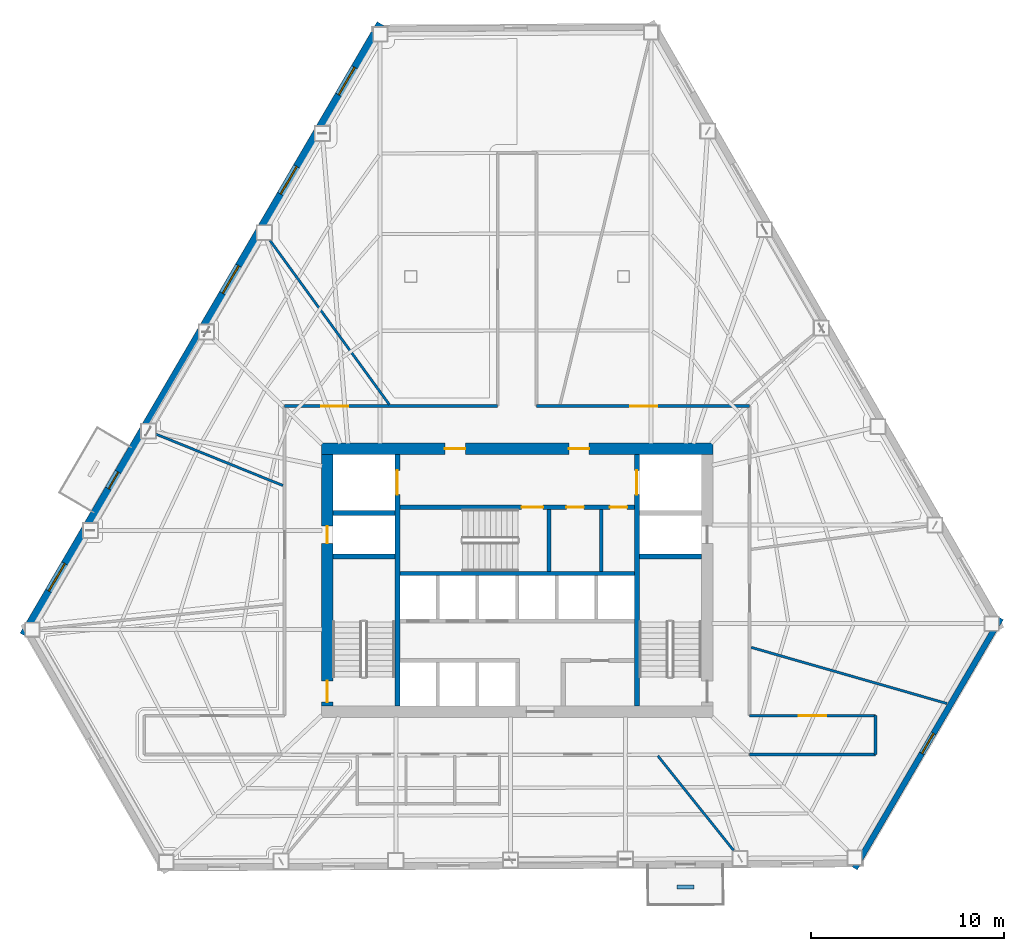
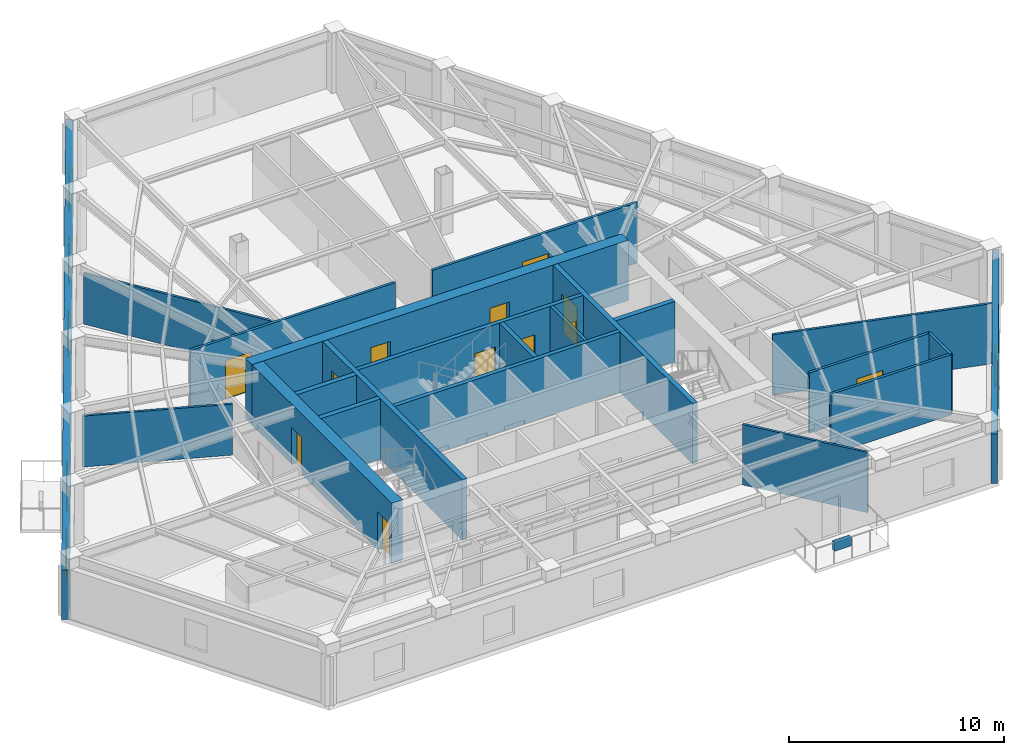
# One storey, part 9 of 14: 23 walls, 13 doors, 5 windows, 18 openings.
"""IFC4 building model written with IfcOpenShell, lengths in metres."""

from ifc_helpers import new_model, si_unit, direction, frame, frame_2d, origin, place, context, subcontext, project, spatial, rectangle, extrude, material, layer, layer_set, type_object, element, fill, save


model = new_model("IFC4")

# Units and contexts
model_context = context("Model", 3, precision=1e-05, world=origin(), true_north=direction((0.0, 1.0)))
body_context = subcontext(model_context, "Body", "Model", "MODEL_VIEW")
ifc_project = project(units=[si_unit("LENGTHUNIT", "METRE"), si_unit("AREAUNIT", "SQUARE_METRE"), si_unit("VOLUMEUNIT", "CUBIC_METRE"), si_unit("PLANEANGLEUNIT", "RADIAN"), si_unit("MASSUNIT", "GRAM", prefix="KILO")], contexts=[model_context])

# Site, building, storey
site_placement = place(None, origin())
site = spatial("IfcSite", under=ifc_project, at=site_placement, CompositionType="ELEMENT")
building_placement = place(site_placement, origin())
building = spatial("IfcBuilding", under=site, at=building_placement, Name="Kavelnor Concourse Tower", CompositionType="ELEMENT")
storey_placement = place(building_placement, frame((0.0, 0.0, 71.449951171875)))
storey = spatial("IfcBuildingStorey", under=building, at=storey_placement, Name="L18", CompositionType="ELEMENT", Elevation=71.449951171875)

# Wall, openings, doors
ifc_material_1 = material(Name="Concrete C60/75", Category="concrete")
ifc_layer_1 = layer(ifc_material_1, 0.60009765625, Name="Concrete C60/75")
ifc_layer_set_1 = layer_set([ifc_layer_1], Name="Concrete C60/75")
wall_type_1 = type_object("IfcWallType", Name="WL-CORE-Z1-600", PredefinedType="SOLIDWALL", material=ifc_layer_set_1)
wall_1_placement = place(storey_placement, frame((27.8798828125, 22.89990234375, 0.0), z_axis=(0.0, 0.0, 1.0), x_axis=(1.0, 0.0, 0.0)))
wall_1 = element("IfcWall", 1, at=wall_1_placement, inside=storey, type_object=wall_type_1, Name="L18 Central Core North Shear Wall", PredefinedType="SOLIDWALL", context=body_context, shape_type="SweptSolid", body=[
    extrude(rectangle(XDim=20.240234375, YDim=0.60009765625, at=frame_2d((10.1201171875, 0.0))), origin(), (0.0, 0.0, 1.0), 3.429931640625),
])
opening_1_placement = place(wall_1_placement, frame((6.39501953125, 0.0, 0.0)))
opening_1 = element("IfcOpeningElement", 2, at=opening_1_placement, cuts=wall_1, Name="Opening FD-105", PredefinedType="OPENING", context=body_context, shape_type="SweptSolid", body=[
    extrude(rectangle(XDim=1.050048828125, YDim=2.14990234375, at=frame_2d((0.52490234375, 1.074951171875))), frame((0.0, 0.31005859375, 0.0), z_axis=(0.0, -1.0, 0.0), x_axis=(1.0, 0.0, 0.0)), (0.0, 0.0, 1.0), 0.6201171875),
])
opening_2_placement = place(wall_1_placement, frame((12.794921875, 0.0, 0.0)))
opening_2 = element("IfcOpeningElement", 3, at=opening_2_placement, cuts=wall_1, Name="Opening FD-105", PredefinedType="OPENING", context=body_context, shape_type="SweptSolid", body=[
    extrude(rectangle(XDim=1.050048828125, YDim=2.14990234375, at=frame_2d((0.52490234375, 1.074951171875))), frame((0.0, 0.31005859375, 0.0), z_axis=(0.0, -1.0, 0.0), x_axis=(1.0, 0.0, 0.0)), (0.0, 0.0, 1.0), 0.6201171875),
])
ifc_material_2 = material(Name="Steel Grade 350", Category="steel")
door_type_1 = type_object("IfcDoorType", Name="DR-LOBBY-FIRE-1050", OperationType="NOTDEFINED", PredefinedType="DOOR", material=ifc_material_2)
door_1_placement = place(opening_1_placement, origin())
door_1 = element("IfcDoor", 4, at=door_1_placement, inside=storey, type_object=door_type_1, Name="L18 Emergency Lift Lobby West Door", OperationType="SINGLE_SWING_LEFT", OverallHeight=2.14990234375, OverallWidth=1.050048828125, PredefinedType="DOOR", context=body_context, shape_type="SweptSolid", body=[
    extrude(rectangle(XDim=1.050048828125, YDim=2.14990234375, at=frame_2d((0.52490234375, 1.074951171875))), frame((0.0, 0.02490234375, 0.0), z_axis=(0.0, -1.0, 0.0), x_axis=(1.0, 0.0, 0.0)), (0.0, 0.0, 1.0), 0.050048828125),
])
fill(opening_1, door_1)
door_2_placement = place(opening_2_placement, origin())
door_2 = element("IfcDoor", 5, at=door_2_placement, inside=storey, type_object=door_type_1, Name="L18 Emergency Lift Lobby East Door", OperationType="SINGLE_SWING_RIGHT", OverallHeight=2.14990234375, OverallWidth=1.050048828125, PredefinedType="DOOR", context=body_context, shape_type="SweptSolid", body=[
    extrude(rectangle(XDim=1.050048828125, YDim=2.14990234375, at=frame_2d((0.52490234375, 1.074951171875))), frame((0.0, 0.02490234375, 0.0), z_axis=(0.0, -1.0, 0.0), x_axis=(1.0, 0.0, 0.0)), (0.0, 0.0, 1.0), 0.050048828125),
])
fill(opening_2, door_2)

wall_2_placement = place(storey_placement, frame((28.179931640625, 9.60009765625, 0.0), z_axis=(0.0, 0.0, 1.0), x_axis=(0.0, 1.0, 0.0)))
wall_2 = element("IfcWall", 6, at=wall_2_placement, inside=storey, type_object=wall_type_1, Name="L18 Central Core West Shear Wall", PredefinedType="SOLIDWALL", context=body_context, shape_type="SweptSolid", body=[
    extrude(rectangle(XDim=13.0, YDim=0.60009765625, at=frame_2d((6.5, 0.0))), origin(), (0.0, 0.0, 1.0), 3.429931640625),
])
opening_3_placement = place(wall_2_placement, frame((0.199951171875, 0.0, 0.0)))
opening_3 = element("IfcOpeningElement", 7, at=opening_3_placement, cuts=wall_2, Name="Opening FD-110", PredefinedType="OPENING", context=body_context, shape_type="SweptSolid", body=[
    extrude(rectangle(XDim=1.10009765625, YDim=2.14990234375, at=frame_2d((0.550048828125, 1.074951171875))), frame((0.0, 0.31005859375, 0.0), z_axis=(0.0, -1.0, 0.0), x_axis=(1.0, 0.0, 0.0)), (0.0, 0.0, 1.0), 0.6201171875),
])
opening_4_placement = place(wall_2_placement, frame((8.39990234375, 0.0, 0.0)))
opening_4 = element("IfcOpeningElement", 8, at=opening_4_placement, cuts=wall_2, Name="Opening FD-090", PredefinedType="OPENING", context=body_context, shape_type="SweptSolid", body=[
    extrude(rectangle(XDim=0.89990234375, YDim=2.10009765625, at=frame_2d((0.449951171875, 1.050048828125))), frame((0.0, 0.31005859375, 0.0), z_axis=(0.0, -1.0, 0.0), x_axis=(1.0, 0.0, 0.0)), (0.0, 0.0, 1.0), 0.6201171875),
])
door_type_2 = type_object("IfcDoorType", Name="DR-RISER-FIRE-900", OperationType="NOTDEFINED", PredefinedType="DOOR", material=ifc_material_2)
door_3_placement = place(opening_4_placement, origin())
door_3 = element("IfcDoor", 9, at=door_3_placement, inside=storey, type_object=door_type_2, Name="L18 West Riser Access Door", OperationType="SINGLE_SWING_RIGHT", OverallHeight=2.10009765625, OverallWidth=0.89990234375, PredefinedType="DOOR", context=body_context, shape_type="SweptSolid", body=[
    extrude(rectangle(XDim=0.89990234375, YDim=2.10009765625, at=frame_2d((0.449951171875, 1.050048828125))), frame((0.0, 0.02490234375, 0.0), z_axis=(0.0, -1.0, 0.0), x_axis=(1.0, 0.0, 0.0)), (0.0, 0.0, 1.0), 0.050048828125),
])
fill(opening_4, door_3)
door_type_3 = type_object("IfcDoorType", Name="DR-STAIR-FIRE-1100", OperationType="NOTDEFINED", PredefinedType="DOOR", material=ifc_material_2)
door_4_placement = place(opening_3_placement, origin())
door_4 = element("IfcDoor", 10, at=door_4_placement, inside=storey, type_object=door_type_3, Name="L18 Stair ST1 Fire Door", OperationType="SINGLE_SWING_LEFT", OverallHeight=2.14990234375, OverallWidth=1.10009765625, PredefinedType="DOOR", context=body_context, shape_type="SweptSolid", body=[
    extrude(rectangle(XDim=1.10009765625, YDim=2.14990234375, at=frame_2d((0.550048828125, 1.074951171875))), frame((0.0, 0.02490234375, 0.0), z_axis=(0.0, -1.0, 0.0), x_axis=(1.0, 0.0, 0.0)), (0.0, 0.0, 1.0), 0.050048828125),
])
fill(opening_3, door_4)

# Wall, opening, window
ifc_material_3 = material(Name="Buff ironspot clay face brick masonry", Category="masonry")
ifc_layer_2 = layer(ifc_material_3, 0.300048828125, Name="Buff ironspot clay face brick masonry")
ifc_layer_set_2 = layer_set([ifc_layer_2], Name="Buff ironspot clay face brick masonry")
wall_type_2 = type_object("IfcWallType", Name="WL-EXT-BUFF-BRICK-FOLD-300", PredefinedType="STANDARD", material=ifc_layer_set_2)
wall_3_placement = place(storey_placement, frame((63.00341796875, 14.134521484375, 0.0), z_axis=(0.0, 0.0, 1.0), x_axis=(-0.504426562477, -0.863454598151, 0.0)))
wall_3 = element("IfcWall", 11, at=wall_3_placement, inside=storey, type_object=wall_type_2, Name="L18 Exterior Brick Facade Wall E4", PredefinedType="STANDARD", context=body_context, shape_type="SweptSolid", body=[
    extrude(rectangle(XDim=14.970947265625, YDim=0.300048828125, at=frame_2d((7.4853515625, 0.0))), origin(), (0.0, 0.0, 1.0), 2.81005859375),
])
opening_5_placement = place(wall_3_placement, frame((6.885498046875, 0.0, 0.64990234375)))
opening_5 = element("IfcOpeningElement", 12, at=opening_5_placement, cuts=wall_3, Name="Opening W-05", PredefinedType="OPENING", context=body_context, shape_type="SweptSolid", body=[
    extrude(rectangle(XDim=1.199951171875, YDim=1.550048828125, at=frame_2d((0.60009765625, 0.77490234375))), frame((0.0, 0.16015625, 0.0), z_axis=(0.0, -1.0, 0.0), x_axis=(1.0, 0.0, 0.0)), (0.0, 0.0, 1.0), 0.320068359375),
])
ifc_material_4 = material(Name="Double low-E argon insulated glazing", Category="glass")
window_type_1 = type_object("IfcWindowType", Name="WIN-FOLD-1200", PartitioningType="SINGLE_PANEL", PredefinedType="WINDOW", material=ifc_material_4)
window_1_placement = place(opening_5_placement, origin())
window_1 = element("IfcWindow", 13, at=window_1_placement, inside=storey, type_object=window_type_1, Name="L18 Chamfer-Fold Facet Window C2", OverallHeight=1.550048828125, OverallWidth=1.199951171875, PartitioningType="SINGLE_PANEL", PredefinedType="WINDOW", context=body_context, shape_type="SweptSolid", body=[
    extrude(rectangle(XDim=1.199951171875, YDim=1.550048828125, at=frame_2d((0.60009765625, 0.77490234375))), frame((0.0, 0.030029296875, 0.0), z_axis=(0.0, -1.0, 0.0), x_axis=(1.0, 0.0, 0.0)), (0.0, 0.0, 1.0), 0.06005859375),
])
fill(opening_5, window_1)

# Wall, openings, door, windows
ifc_material_5 = material(Name="Red-ochre clay face brick masonry", Category="masonry")
ifc_layer_3 = layer(ifc_material_5, 0.3798828125, Name="Red-ochre clay face brick masonry")
ifc_layer_set_3 = layer_set([ifc_layer_3], Name="Red-ochre clay face brick masonry")
wall_type_3 = type_object("IfcWallType", Name="WL-EXT-RED-BRICK-PIER-380", PredefinedType="STANDARD", material=ifc_layer_set_3)
wall_4_placement = place(storey_placement, frame((12.47314453125, 13.275146484375, 0.0), z_axis=(0.0, 0.0, 1.0), x_axis=(0.504426765764, 0.863454479391, 0.0)))
wall_4 = element("IfcWall", 14, at=wall_4_placement, inside=storey, type_object=wall_type_3, Name="L18 Exterior Brick Facade Wall E1", PredefinedType="STANDARD", context=body_context, shape_type="SweptSolid", body=[
    extrude(rectangle(XDim=36.594482421875, YDim=0.3798828125, at=frame_2d((18.29736328125, 0.0))), origin(), (0.0, 0.0, 1.0), 2.81005859375),
])
opening_6_placement = place(wall_4_placement, frame((8.74853515625, 0.0, 0.0)))
opening_6 = element("IfcOpeningElement", 15, at=opening_6_placement, cuts=wall_4, Name="Opening BD-100", PredefinedType="OPENING", context=body_context, shape_type="SweptSolid", body=[
    extrude(rectangle(XDim=1.0, YDim=2.199951171875, at=frame_2d((0.5, 1.10009765625))), frame((0.0, 0.199951171875, 0.0), z_axis=(0.0, -1.0, 0.0), x_axis=(1.0, 0.0, 0.0)), (0.0, 0.0, 1.0), 0.39990234375),
])
opening_7_placement = place(wall_4_placement, frame((32.32568359375, 0.0, 0.550048828125)))
opening_7 = element("IfcOpeningElement", 16, at=opening_7_placement, cuts=wall_4, Name="Opening W-01", PredefinedType="OPENING", context=body_context, shape_type="SweptSolid", body=[
    extrude(rectangle(XDim=1.64990234375, YDim=1.60009765625, at=frame_2d((0.824951171875, 0.800048828125))), frame((0.0, 0.199951171875, 0.0), z_axis=(0.0, -1.0, 0.0), x_axis=(1.0, 0.0, 0.0)), (0.0, 0.0, 1.0), 0.39990234375),
])
opening_8_placement = place(wall_4_placement, frame((26.38525390625, 0.0, 0.550048828125)))
opening_8 = element("IfcOpeningElement", 17, at=opening_8_placement, cuts=wall_4, Name="Opening W-01", PredefinedType="OPENING", context=body_context, shape_type="SweptSolid", body=[
    extrude(rectangle(XDim=1.64990234375, YDim=1.60009765625, at=frame_2d((0.824951171875, 0.800048828125))), frame((0.0, 0.199951171875, 0.0), z_axis=(0.0, -1.0, 0.0), x_axis=(1.0, 0.0, 0.0)), (0.0, 0.0, 1.0), 0.39990234375),
])
opening_9_placement = place(wall_4_placement, frame((20.44482421875, 0.0, 0.550048828125)))
opening_9 = element("IfcOpeningElement", 18, at=opening_9_placement, cuts=wall_4, Name="Opening W-01", PredefinedType="OPENING", context=body_context, shape_type="SweptSolid", body=[
    extrude(rectangle(XDim=1.64990234375, YDim=1.60009765625, at=frame_2d((0.824951171875, 0.800048828125))), frame((0.0, 0.199951171875, 0.0), z_axis=(0.0, -1.0, 0.0), x_axis=(1.0, 0.0, 0.0)), (0.0, 0.0, 1.0), 0.39990234375),
])
opening_10_placement = place(wall_4_placement, frame((2.623779296875, 0.0, 0.550048828125)))
opening_10 = element("IfcOpeningElement", 19, at=opening_10_placement, cuts=wall_4, Name="Opening W-01", PredefinedType="OPENING", context=body_context, shape_type="SweptSolid", body=[
    extrude(rectangle(XDim=1.64990234375, YDim=1.60009765625, at=frame_2d((0.824951171875, 0.800048828125))), frame((0.0, 0.199951171875, 0.0), z_axis=(0.0, -1.0, 0.0), x_axis=(1.0, 0.0, 0.0)), (0.0, 0.0, 1.0), 0.39990234375),
])
ifc_material_6 = material(Name="Anodised aluminium 6063-T6", Category="aluminium")
door_type_4 = type_object("IfcDoorType", Name="DR-BALCONY-EXT-1000", OperationType="NOTDEFINED", PredefinedType="DOOR", material=ifc_material_6)
door_5_placement = place(opening_6_placement, origin())
door_5 = element("IfcDoor", 20, at=door_5_placement, inside=storey, type_object=door_type_4, Name="L18 Tree Balcony 1 Glazed Door", OperationType="SINGLE_SWING_LEFT", OverallHeight=2.199951171875, OverallWidth=1.0, PredefinedType="DOOR", context=body_context, shape_type="SweptSolid", body=[
    extrude(rectangle(XDim=1.0, YDim=2.199951171875, at=frame_2d((0.5, 1.10009765625))), frame((0.0, 0.02490234375, 0.0), z_axis=(0.0, -1.0, 0.0), x_axis=(1.0, 0.0, 0.0)), (0.0, 0.0, 1.0), 0.050048828125),
])
fill(opening_6, door_5)
window_type_2 = type_object("IfcWindowType", Name="WIN-PIER-Z1-1800", PartitioningType="SINGLE_PANEL", PredefinedType="WINDOW", material=ifc_material_4)
window_2_placement = place(opening_7_placement, origin())
window_2 = element("IfcWindow", 21, at=window_2_placement, inside=storey, type_object=window_type_2, Name="L18 Deep-Set Brick Pier Window F0-B0", OverallHeight=1.60009765625, OverallWidth=1.64990234375, PartitioningType="SINGLE_PANEL", PredefinedType="WINDOW", context=body_context, shape_type="SweptSolid", body=[
    extrude(rectangle(XDim=1.64990234375, YDim=1.60009765625, at=frame_2d((0.824951171875, 0.800048828125))), frame((0.0, 0.030029296875, 0.0), z_axis=(0.0, -1.0, 0.0), x_axis=(1.0, 0.0, 0.0)), (0.0, 0.0, 1.0), 0.06005859375),
])
fill(opening_7, window_2)
window_3_placement = place(opening_8_placement, origin())
window_3 = element("IfcWindow", 22, at=window_3_placement, inside=storey, type_object=window_type_2, Name="L18 Deep-Set Brick Pier Window F0-B1", OverallHeight=1.60009765625, OverallWidth=1.64990234375, PartitioningType="SINGLE_PANEL", PredefinedType="WINDOW", context=body_context, shape_type="SweptSolid", body=[
    extrude(rectangle(XDim=1.64990234375, YDim=1.60009765625, at=frame_2d((0.824951171875, 0.800048828125))), frame((0.0, 0.030029296875, 0.0), z_axis=(0.0, -1.0, 0.0), x_axis=(1.0, 0.0, 0.0)), (0.0, 0.0, 1.0), 0.06005859375),
])
fill(opening_8, window_3)
window_4_placement = place(opening_9_placement, origin())
window_4 = element("IfcWindow", 23, at=window_4_placement, inside=storey, type_object=window_type_2, Name="L18 Deep-Set Brick Pier Window F0-B2", OverallHeight=1.60009765625, OverallWidth=1.64990234375, PartitioningType="SINGLE_PANEL", PredefinedType="WINDOW", context=body_context, shape_type="SweptSolid", body=[
    extrude(rectangle(XDim=1.64990234375, YDim=1.60009765625, at=frame_2d((0.824951171875, 0.800048828125))), frame((0.0, 0.030029296875, 0.0), z_axis=(0.0, -1.0, 0.0), x_axis=(1.0, 0.0, 0.0)), (0.0, 0.0, 1.0), 0.06005859375),
])
fill(opening_9, window_4)
window_5_placement = place(opening_10_placement, origin())
window_5 = element("IfcWindow", 24, at=window_5_placement, inside=storey, type_object=window_type_2, Name="L18 Deep-Set Brick Pier Window F0-B5", OverallHeight=1.60009765625, OverallWidth=1.64990234375, PartitioningType="SINGLE_PANEL", PredefinedType="WINDOW", context=body_context, shape_type="SweptSolid", body=[
    extrude(rectangle(XDim=1.64990234375, YDim=1.60009765625, at=frame_2d((0.824951171875, 0.800048828125))), frame((0.0, 0.030029296875, 0.0), z_axis=(0.0, -1.0, 0.0), x_axis=(1.0, 0.0, 0.0)), (0.0, 0.0, 1.0), 0.06005859375),
])
fill(opening_10, window_5)

# Wall, opening, door
ifc_material_7 = material(Name="Gypsum plasterboard on light-gauge steel studs", Category="steel")
ifc_layer_4 = layer(ifc_material_7, 0.14501953125, Name="Gypsum plasterboard on light-gauge steel studs")
ifc_layer_set_4 = layer_set([ifc_layer_4], Name="Gypsum plasterboard on light-gauge steel studs")
wall_type_4 = type_object("IfcWallType", Name="WL-INT-CORR-145", PredefinedType="PARTITIONING", material=ifc_layer_set_4)
wall_5_placement = place(storey_placement, frame((25.97998046875, 25.10009765625, 0.0), z_axis=(0.0, 0.0, 1.0), x_axis=(1.0, 0.0, 0.0)))
wall_5 = element("IfcWall", 25, at=wall_5_placement, inside=storey, type_object=wall_type_4, Name="L18 Corridor Wall WL-L18-CR-03", PredefinedType="PARTITIONING", context=body_context, shape_type="SweptSolid", body=[
    extrude(rectangle(XDim=11.02001953125, YDim=0.14501953125, at=frame_2d((5.510009765625, 0.0))), origin(), (0.0, 0.0, 1.0), 3.429931640625),
])
opening_11_placement = place(wall_5_placement, frame((1.887939453125, 0.0, 0.0)))
opening_11 = element("IfcOpeningElement", 26, at=opening_11_placement, cuts=wall_5, Name="Opening SD-140", PredefinedType="OPENING", context=body_context, shape_type="SweptSolid", body=[
    extrude(rectangle(XDim=1.39990234375, YDim=2.199951171875, at=frame_2d((0.699951171875, 1.10009765625))), frame((0.0, 0.08251953125, 0.0), z_axis=(0.0, -1.0, 0.0), x_axis=(1.0, 0.0, 0.0)), (0.0, 0.0, 1.0), 0.1650390625),
])
ifc_material_8 = material(Name="Solid-core hardwood timber", Category="wood")
door_type_5 = type_object("IfcDoorType", Name="DR-SUITE-ENTRY-1400", OperationType="NOTDEFINED", PredefinedType="DOOR", material=ifc_material_8)
door_6_placement = place(opening_11_placement, origin())
door_6 = element("IfcDoor", 27, at=door_6_placement, inside=storey, type_object=door_type_5, Name="L18 Technical Reference Library 04 Door", OperationType="SINGLE_SWING_LEFT", OverallHeight=2.199951171875, OverallWidth=1.39990234375, PredefinedType="DOOR", context=body_context, shape_type="SweptSolid", body=[
    extrude(rectangle(XDim=1.39990234375, YDim=2.199951171875, at=frame_2d((0.699951171875, 1.10009765625))), frame((0.0, 0.02490234375, 0.0), z_axis=(0.0, -1.0, 0.0), x_axis=(1.0, 0.0, 0.0)), (0.0, 0.0, 1.0), 0.050048828125),
])
fill(opening_11, door_6)

wall_6_placement = place(storey_placement, frame((39.0, 25.10009765625, 0.0), z_axis=(0.0, 0.0, 1.0), x_axis=(1.0, 0.0, 0.0)))
wall_6 = element("IfcWall", 28, at=wall_6_placement, inside=storey, type_object=wall_type_4, Name="L18 Corridor Wall WL-L18-CR-07", PredefinedType="PARTITIONING", context=body_context, shape_type="SweptSolid", body=[
    extrude(rectangle(XDim=11.02001953125, YDim=0.14501953125, at=frame_2d((5.510009765625, 0.0))), origin(), (0.0, 0.0, 1.0), 3.429931640625),
])
opening_12_placement = place(wall_6_placement, frame((4.83740234375, 0.0, 0.0)))
opening_12 = element("IfcOpeningElement", 29, at=opening_12_placement, cuts=wall_6, Name="Opening SD-140", PredefinedType="OPENING", context=body_context, shape_type="SweptSolid", body=[
    extrude(rectangle(XDim=1.39990234375, YDim=2.199951171875, at=frame_2d((0.699951171875, 1.10009765625))), frame((0.0, 0.08251953125, 0.0), z_axis=(0.0, -1.0, 0.0), x_axis=(1.0, 0.0, 0.0)), (0.0, 0.0, 1.0), 0.1650390625),
])
door_7_placement = place(opening_12_placement, origin())
door_7 = element("IfcDoor", 30, at=door_7_placement, inside=storey, type_object=door_type_5, Name="L18 Architectural Design Studio 02 Door", OperationType="SINGLE_SWING_LEFT", OverallHeight=2.199951171875, OverallWidth=1.39990234375, PredefinedType="DOOR", context=body_context, shape_type="SweptSolid", body=[
    extrude(rectangle(XDim=1.39990234375, YDim=2.199951171875, at=frame_2d((0.699951171875, 1.10009765625))), frame((0.0, 0.02490234375, 0.0), z_axis=(0.0, -1.0, 0.0), x_axis=(1.0, 0.0, 0.0)), (0.0, 0.0, 1.0), 0.050048828125),
])
fill(opening_12, door_7)

wall_7_placement = place(storey_placement, frame((50.02001953125, 9.10009765625, 0.0), z_axis=(0.0, 0.0, 1.0), x_axis=(1.0, 0.0, 0.0)))
wall_7 = element("IfcWall", 31, at=wall_7_placement, inside=storey, type_object=wall_type_4, Name="L18 Corridor Wall WL-L18-CR-09", PredefinedType="PARTITIONING", context=body_context, shape_type="SweptSolid", body=[
    extrude(rectangle(XDim=6.498291015625, YDim=0.14501953125, at=frame_2d((3.2490234375, 0.0))), origin(), (0.0, 0.0, 1.0), 3.429931640625),
])
opening_13_placement = place(wall_7_placement, frame((2.54931640625, 0.0, 0.0)))
opening_13 = element("IfcOpeningElement", 32, at=opening_13_placement, cuts=wall_7, Name="Opening SD-140", PredefinedType="OPENING", context=body_context, shape_type="SweptSolid", body=[
    extrude(rectangle(XDim=1.39990234375, YDim=2.199951171875, at=frame_2d((0.699951171875, 1.10009765625))), frame((0.0, 0.08251953125, 0.0), z_axis=(0.0, -1.0, 0.0), x_axis=(1.0, 0.0, 0.0)), (0.0, 0.0, 1.0), 0.1650390625),
])
door_8_placement = place(opening_13_placement, origin())
door_8 = element("IfcDoor", 33, at=door_8_placement, inside=storey, type_object=door_type_5, Name="L18 Staff Breakout Pantry 08 Door", OperationType="SINGLE_SWING_LEFT", OverallHeight=2.199951171875, OverallWidth=1.39990234375, PredefinedType="DOOR", context=body_context, shape_type="SweptSolid", body=[
    extrude(rectangle(XDim=1.39990234375, YDim=2.199951171875, at=frame_2d((0.699951171875, 1.10009765625))), frame((0.0, 0.02490234375, 0.0), z_axis=(0.0, -1.0, 0.0), x_axis=(1.0, 0.0, 0.0)), (0.0, 0.0, 1.0), 0.050048828125),
])
fill(opening_13, door_8)

# Walls
wall_8_placement = place(storey_placement, frame((56.518310546875, 9.10009765625, 0.0), z_axis=(0.0, 0.0, 1.0), x_axis=(0.0, -1.0, 0.0)))
element("IfcWall", 34, at=wall_8_placement, inside=storey, type_object=wall_type_4, Name="L18 Corridor Wall WL-L18-CR-10", PredefinedType="PARTITIONING", context=body_context, shape_type="SweptSolid", body=[
    extrude(rectangle(XDim=2.0, YDim=0.14501953125, at=frame_2d((1.0, 0.0))), origin(), (0.0, 0.0, 1.0), 3.429931640625),
])
wall_9_placement = place(storey_placement, frame((56.518310546875, 7.10009765625, 0.0), z_axis=(0.0, 0.0, 1.0), x_axis=(-1.0, 0.0, 0.0)))
element("IfcWall", 35, at=wall_9_placement, inside=storey, type_object=wall_type_4, Name="L18 Corridor Wall WL-L18-CR-11", PredefinedType="PARTITIONING", context=body_context, shape_type="SweptSolid", body=[
    extrude(rectangle(XDim=6.498291015625, YDim=0.14501953125, at=frame_2d((3.2490234375, 0.0))), origin(), (0.0, 0.0, 1.0), 3.429931640625),
])
ifc_layer_5 = layer(ifc_material_7, 0.1650390625, Name="Gypsum plasterboard on light-gauge steel studs")
ifc_layer_set_5 = layer_set([ifc_layer_5], Name="Gypsum plasterboard on light-gauge steel studs")
wall_type_5 = type_object("IfcWallType", Name="WL-INT-FIRE-165", PredefinedType="PARTITIONING", material=ifc_layer_set_5)
wall_10_placement = place(storey_placement, frame((42.35009765625, 16.56005859375, 0.0), z_axis=(0.0, 0.0, 1.0), x_axis=(0.0, 1.0, 0.0)))
element("IfcWall", 36, at=wall_10_placement, inside=storey, type_object=wall_type_5, Name="L18 Core Support Asymmetric Divider", PredefinedType="PARTITIONING", context=body_context, shape_type="SweptSolid", body=[
    extrude(rectangle(XDim=3.199951171875, YDim=0.1650390625, at=frame_2d((1.60009765625, 0.0))), origin(), (0.0, 0.0, 1.0), 3.429931640625),
])
ifc_layer_6 = layer(ifc_material_7, 0.125, Name="Gypsum plasterboard on light-gauge steel studs")
ifc_layer_set_6 = layer_set([ifc_layer_6], Name="Gypsum plasterboard on light-gauge steel studs")
wall_type_6 = type_object("IfcWallType", Name="WL-INT-SUITE-125", PredefinedType="PARTITIONING", material=ifc_layer_set_6)
wall_11_placement = place(storey_placement, frame((31.39697265625, 25.180419921875, 0.0), z_axis=(0.0, 0.0, 1.0), x_axis=(-0.588106629078, 0.808783402917, 0.0)))
element("IfcWall", 37, at=wall_11_placement, inside=storey, type_object=wall_type_6, Name="L18 Radial Suite Partition 04", PredefinedType="PARTITIONING", context=body_context, shape_type="SweptSolid", body=[
    extrude(rectangle(XDim=10.48583984375, YDim=0.125, at=frame_2d((5.242919921875, 0.0))), origin(), (0.0, 0.0, 1.0), 2.89697265625),
])
wall_12_placement = place(storey_placement, frame((25.8994140625, 20.995361328125, 0.0), z_axis=(0.0, 0.0, 1.0), x_axis=(-0.927013742052, 0.375027361731, 0.0)))
element("IfcWall", 38, at=wall_12_placement, inside=storey, type_object=wall_type_6, Name="L18 Radial Suite Partition 05", PredefinedType="PARTITIONING", context=body_context, shape_type="SweptSolid", body=[
    extrude(rectangle(XDim=7.066650390625, YDim=0.125, at=frame_2d((3.533203125, 0.0))), origin(), (0.0, 0.0, 1.0), 2.89697265625),
])
wall_13_placement = place(storey_placement, frame((45.277099609375, 7.01953125, 0.0), z_axis=(0.0, 0.0, 1.0), x_axis=(0.62534047026, -0.780352033543, 0.0)))
element("IfcWall", 39, at=wall_13_placement, inside=storey, type_object=wall_type_6, Name="L18 Radial Suite Partition 08", PredefinedType="PARTITIONING", context=body_context, shape_type="SweptSolid", body=[
    extrude(rectangle(XDim=6.271484375, YDim=0.125, at=frame_2d((3.1357421875, 0.0))), origin(), (0.0, 0.0, 1.0), 3.429931640625),
])
wall_14_placement = place(storey_placement, frame((50.1005859375, 12.630126953125, 0.0), z_axis=(0.0, 0.0, 1.0), x_axis=(0.961261110283, -0.275639398232, 0.0)))
element("IfcWall", 40, at=wall_14_placement, inside=storey, type_object=wall_type_6, Name="L18 Radial Suite Partition 09", PredefinedType="PARTITIONING", context=body_context, shape_type="SweptSolid", body=[
    extrude(rectangle(XDim=10.532958984375, YDim=0.125, at=frame_2d((5.2666015625, 0.0))), origin(), (0.0, 0.0, 1.0), 3.429931640625),
])
ifc_material_9 = material(Name="Architectural precast planter concrete C40/50", Category="concrete")
ifc_layer_7 = layer(ifc_material_9, 0.18994140625, Name="Architectural precast planter concrete C40/50")
ifc_layer_set_7 = layer_set([ifc_layer_7], Name="Architectural precast planter concrete C40/50")
wall_type_7 = type_object("IfcWallType", Name="WL-PLANTER-KERB-190", PredefinedType="USERDEFINED", material=ifc_layer_set_7)
wall_15_placement = place(storey_placement, frame((46.25439453125, 0.242919921875, 0.0), z_axis=(0.0, 0.0, 1.0), x_axis=(0.999982188803, 0.005968423265, 0.0)))
element("IfcWall", 41, at=wall_15_placement, inside=storey, type_object=wall_type_7, Name="L18 Tree Balcony 2 Tree Planter Kerb", ObjectType="PLANTER", PredefinedType="USERDEFINED", context=body_context, shape_type="SweptSolid", body=[
    extrude(rectangle(XDim=0.89990234375, YDim=0.18994140625, at=frame_2d((0.449951171875, 0.0))), origin(), (0.0, 0.0, 1.0), 0.5),
])

# Wall, openings, doors
ifc_material_10 = material(Name="Concrete C50/60", Category="concrete")
ifc_layer_8 = layer(ifc_material_10, 0.219970703125, Name="Concrete C50/60")
ifc_layer_set_8 = layer_set([ifc_layer_8], Name="Concrete C50/60")
wall_type_8 = type_object("IfcWallType", Name="WL-SHAFT-220", PredefinedType="SOLIDWALL", material=ifc_layer_set_8)
wall_16_placement = place(storey_placement, frame((31.93994140625, 19.8701171875, 0.0), z_axis=(0.0, 0.0, 1.0), x_axis=(1.0, 0.0, 0.0)))
wall_16 = element("IfcWall", 42, at=wall_16_placement, inside=storey, type_object=wall_type_8, Name="L18 Emergency Lift Lobby South Wall", PredefinedType="SOLIDWALL", context=body_context, shape_type="SweptSolid", body=[
    extrude(rectangle(XDim=12.1201171875, YDim=0.219970703125, at=frame_2d((6.06005859375, 0.0))), origin(), (0.0, 0.0, 1.0), 3.429931640625),
])
opening_14_placement = place(wall_16_placement, frame((6.300048828125, 0.0, 0.0)))
opening_14 = element("IfcOpeningElement", 43, at=opening_14_placement, cuts=wall_16, Name="Opening FD-110", PredefinedType="OPENING", context=body_context, shape_type="SweptSolid", body=[
    extrude(rectangle(XDim=1.10009765625, YDim=2.14990234375, at=frame_2d((0.550048828125, 1.074951171875))), frame((0.0, 0.1201171875, 0.0), z_axis=(0.0, -1.0, 0.0), x_axis=(1.0, 0.0, 0.0)), (0.0, 0.0, 1.0), 0.239990234375),
])
opening_15_placement = place(wall_16_placement, frame((8.610107421875, 0.0, 0.0)))
opening_15 = element("IfcOpeningElement", 44, at=opening_15_placement, cuts=wall_16, Name="Opening FD-090", PredefinedType="OPENING", context=body_context, shape_type="SweptSolid", body=[
    extrude(rectangle(XDim=0.89990234375, YDim=2.10009765625, at=frame_2d((0.449951171875, 1.050048828125))), frame((0.0, 0.1201171875, 0.0), z_axis=(0.0, -1.0, 0.0), x_axis=(1.0, 0.0, 0.0)), (0.0, 0.0, 1.0), 0.239990234375),
])
opening_16_placement = place(wall_16_placement, frame((10.85009765625, 0.0, 0.0)))
opening_16 = element("IfcOpeningElement", 45, at=opening_16_placement, cuts=wall_16, Name="Opening FD-090", PredefinedType="OPENING", context=body_context, shape_type="SweptSolid", body=[
    extrude(rectangle(XDim=0.89990234375, YDim=2.10009765625, at=frame_2d((0.449951171875, 1.050048828125))), frame((0.0, 0.1201171875, 0.0), z_axis=(0.0, -1.0, 0.0), x_axis=(1.0, 0.0, 0.0)), (0.0, 0.0, 1.0), 0.239990234375),
])
door_9_placement = place(opening_15_placement, origin())
door_9 = element("IfcDoor", 46, at=door_9_placement, inside=storey, type_object=door_type_2, Name="L18 Electrical Room Door", OperationType="SINGLE_SWING_LEFT", OverallHeight=2.10009765625, OverallWidth=0.89990234375, PredefinedType="DOOR", context=body_context, shape_type="SweptSolid", body=[
    extrude(rectangle(XDim=0.89990234375, YDim=2.10009765625, at=frame_2d((0.449951171875, 1.050048828125))), frame((0.0, 0.02490234375, 0.0), z_axis=(0.0, -1.0, 0.0), x_axis=(1.0, 0.0, 0.0)), (0.0, 0.0, 1.0), 0.050048828125),
])
fill(opening_15, door_9)
door_10_placement = place(opening_16_placement, origin())
door_10 = element("IfcDoor", 47, at=door_10_placement, inside=storey, type_object=door_type_2, Name="L18 Cleaner Store Door", OperationType="SINGLE_SWING_RIGHT", OverallHeight=2.10009765625, OverallWidth=0.89990234375, PredefinedType="DOOR", context=body_context, shape_type="SweptSolid", body=[
    extrude(rectangle(XDim=0.89990234375, YDim=2.10009765625, at=frame_2d((0.449951171875, 1.050048828125))), frame((0.0, 0.02490234375, 0.0), z_axis=(0.0, -1.0, 0.0), x_axis=(1.0, 0.0, 0.0)), (0.0, 0.0, 1.0), 0.050048828125),
])
fill(opening_16, door_10)
door_11_placement = place(opening_14_placement, origin())
door_11 = element("IfcDoor", 48, at=door_11_placement, inside=storey, type_object=door_type_3, Name="L18 Stair ST3 Fire Door", OperationType="SINGLE_SWING_LEFT", OverallHeight=2.14990234375, OverallWidth=1.10009765625, PredefinedType="DOOR", context=body_context, shape_type="SweptSolid", body=[
    extrude(rectangle(XDim=1.10009765625, YDim=2.14990234375, at=frame_2d((0.550048828125, 1.074951171875))), frame((0.0, 0.02490234375, 0.0), z_axis=(0.0, -1.0, 0.0), x_axis=(1.0, 0.0, 0.0)), (0.0, 0.0, 1.0), 0.050048828125),
])
fill(opening_14, door_11)

# Walls
wall_17_placement = place(storey_placement, frame((31.93994140625, 16.449951171875, 0.0), z_axis=(0.0, 0.0, 1.0), x_axis=(1.0, 0.0, 0.0)))
element("IfcWall", 49, at=wall_17_placement, inside=storey, type_object=wall_type_8, Name="L18 Stair ST3 South Core Wall", PredefinedType="SOLIDWALL", context=body_context, shape_type="SweptSolid", body=[
    extrude(rectangle(XDim=12.1201171875, YDim=0.219970703125, at=frame_2d((6.06005859375, 0.0))), origin(), (0.0, 0.0, 1.0), 3.429931640625),
])
wall_18_placement = place(storey_placement, frame((39.64990234375, 16.56005859375, 0.0), z_axis=(0.0, 0.0, 1.0), x_axis=(0.0, 1.0, 0.0)))
element("IfcWall", 50, at=wall_18_placement, inside=storey, type_object=wall_type_8, Name="L18 Stair ST3 East Core Wall", PredefinedType="SOLIDWALL", context=body_context, shape_type="SweptSolid", body=[
    extrude(rectangle(XDim=3.199951171875, YDim=0.219970703125, at=frame_2d((1.60009765625, 0.0))), origin(), (0.0, 0.0, 1.0), 3.429931640625),
])

# Wall, opening, door
ifc_layer_9 = layer(ifc_material_10, 0.260009765625, Name="Concrete C50/60")
ifc_layer_set_9 = layer_set([ifc_layer_9], Name="Concrete C50/60")
wall_type_9 = type_object("IfcWallType", Name="WL-SHAFT-260", PredefinedType="SHEAR", material=ifc_layer_set_9)
wall_19_placement = place(storey_placement, frame((31.81005859375, 9.60009765625, 0.0), z_axis=(0.0, 0.0, 1.0), x_axis=(0.0, 1.0, 0.0)))
wall_19 = element("IfcWall", 51, at=wall_19_placement, inside=storey, type_object=wall_type_9, Name="L18 Core West Wing Shear Wall", PredefinedType="SHEAR", context=body_context, shape_type="SweptSolid", body=[
    extrude(rectangle(XDim=13.0, YDim=0.260009765625, at=frame_2d((6.5, 0.0))), origin(), (0.0, 0.0, 1.0), 3.429931640625),
])
opening_17_placement = place(wall_19_placement, frame((10.925048828125, 0.0, 0.0)))
opening_17 = element("IfcOpeningElement", 52, at=opening_17_placement, cuts=wall_19, Name="Opening LD-125", PredefinedType="OPENING", context=body_context, shape_type="SweptSolid", body=[
    extrude(rectangle(XDim=1.25, YDim=2.25, at=frame_2d((0.625, 1.125))), frame((0.0, 0.14013671875, 0.0), z_axis=(0.0, -1.0, 0.0), x_axis=(1.0, 0.0, 0.0)), (0.0, 0.0, 1.0), 0.280029296875),
])
door_type_6 = type_object("IfcDoorType", Name="DR-LIFT-SLIDING-1250", OperationType="NOTDEFINED", PredefinedType="DOOR", material=ifc_material_2)
door_12_placement = place(opening_17_placement, origin())
door_12 = element("IfcDoor", 53, at=door_12_placement, inside=storey, type_object=door_type_6, Name="L18 Emergency Lift FL1 Landing Door", OperationType="DOUBLE_DOOR_SLIDING", OverallHeight=2.25, OverallWidth=1.25, PredefinedType="DOOR", context=body_context, shape_type="SweptSolid", body=[
    extrude(rectangle(XDim=1.25, YDim=2.25, at=frame_2d((0.625, 1.125))), frame((0.0, 0.02490234375, 0.0), z_axis=(0.0, -1.0, 0.0), x_axis=(1.0, 0.0, 0.0)), (0.0, 0.0, 1.0), 0.050048828125),
])
fill(opening_17, door_12)

wall_20_placement = place(storey_placement, frame((44.18994140625, 9.60009765625, 0.0), z_axis=(0.0, 0.0, 1.0), x_axis=(0.0, 1.0, 0.0)))
wall_20 = element("IfcWall", 54, at=wall_20_placement, inside=storey, type_object=wall_type_9, Name="L18 Core East Wing Shear Wall", PredefinedType="SHEAR", context=body_context, shape_type="SweptSolid", body=[
    extrude(rectangle(XDim=13.0, YDim=0.260009765625, at=frame_2d((6.5, 0.0))), origin(), (0.0, 0.0, 1.0), 3.429931640625),
])
opening_18_placement = place(wall_20_placement, frame((10.925048828125, 0.0, 0.0)))
opening_18 = element("IfcOpeningElement", 55, at=opening_18_placement, cuts=wall_20, Name="Opening LD-125", PredefinedType="OPENING", context=body_context, shape_type="SweptSolid", body=[
    extrude(rectangle(XDim=1.25, YDim=2.25, at=frame_2d((0.625, 1.125))), frame((0.0, 0.14013671875, 0.0), z_axis=(0.0, -1.0, 0.0), x_axis=(1.0, 0.0, 0.0)), (0.0, 0.0, 1.0), 0.280029296875),
])
door_13_placement = place(opening_18_placement, origin())
door_13 = element("IfcDoor", 56, at=door_13_placement, inside=storey, type_object=door_type_6, Name="L18 Emergency Lift FL2 Landing Door", OperationType="DOUBLE_DOOR_SLIDING", OverallHeight=2.25, OverallWidth=1.25, PredefinedType="DOOR", context=body_context, shape_type="SweptSolid", body=[
    extrude(rectangle(XDim=1.25, YDim=2.25, at=frame_2d((0.625, 1.125))), frame((0.0, 0.02490234375, 0.0), z_axis=(0.0, -1.0, 0.0), x_axis=(1.0, 0.0, 0.0)), (0.0, 0.0, 1.0), 0.050048828125),
])
fill(opening_18, door_13)

# Walls
for number, where, z_axis, x_axis, name in (
    (57, (28.47998046875, 17.330078125, 0.0), (0.0, 0.0, 1.0), (1.0, 0.0, 0.0), "L18 Stair ST1 North Shaft Wall"),
    (58, (28.47998046875, 19.570068359375, 0.0), (0.0, 0.0, 1.0), (1.0, 0.0, 0.0), "L18 Emergency Lift FL1 South Shaft Wall"),
    (59, (44.320068359375, 17.330078125, 0.0), (0.0, 0.0, 1.0), (1.0, 0.0, 0.0), "L18 Stair ST2 North Shaft Wall"),
):
    element("IfcWall", number, at=place(storey_placement, frame(where, z_axis=z_axis, x_axis=x_axis)), inside=storey, type_object=wall_type_9, Name=name, PredefinedType="SHEAR", context=body_context, shape_type="SweptSolid", body=[
        extrude(rectangle(XDim=3.199951171875, YDim=0.260009765625, at=frame_2d((1.60009765625, 0.0))), origin(), (0.0, 0.0, 1.0), 3.429931640625),
    ])

save(model, "model.ifc")
